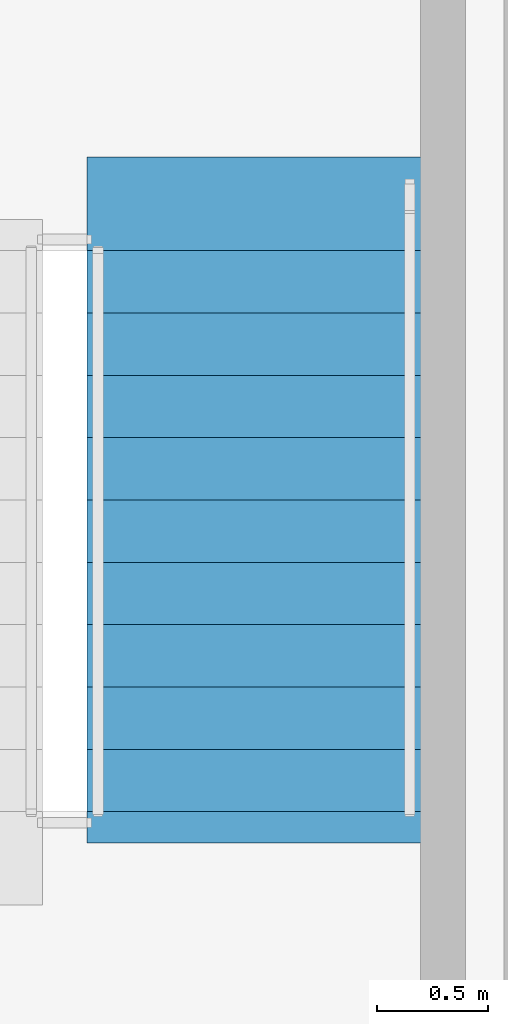
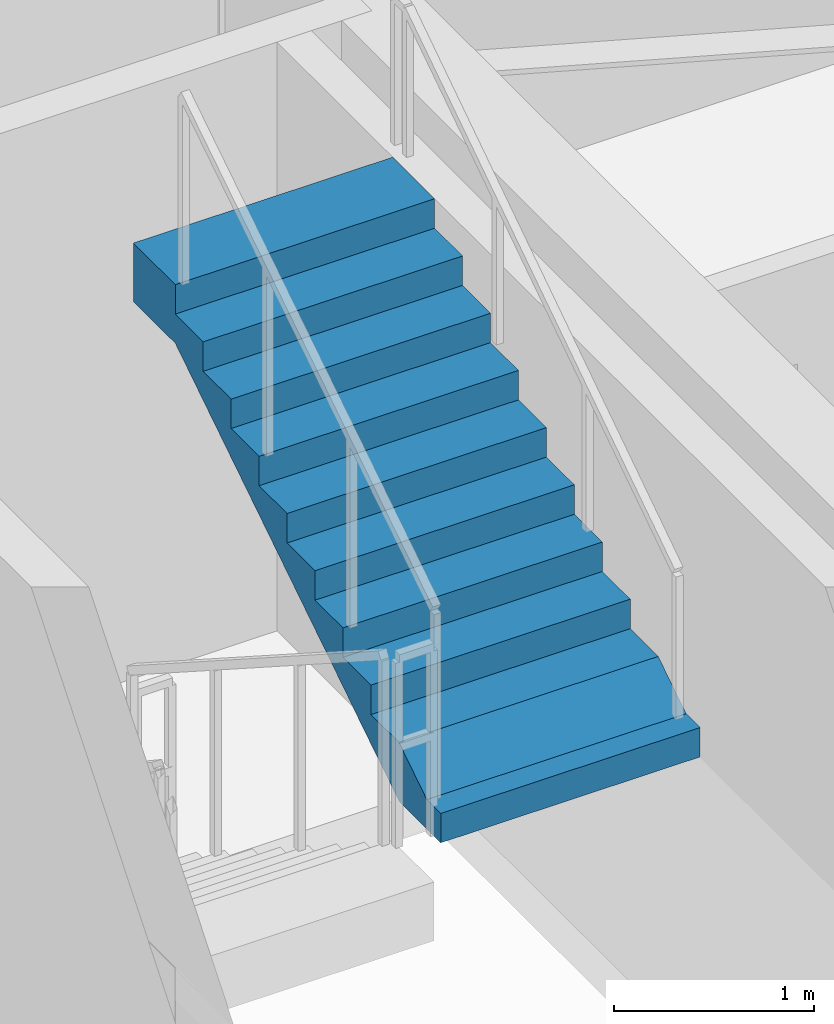
# One storey, part 9 of 11: 1 stair flight, 1 element without a shape of its own.
"""IFC4 building model written with IfcOpenShell, lengths in metres."""

import ifcopenshell
import ifcopenshell.guid

model = None  # the IFC model being written
_history = None  # IfcOwnerHistory: only IFC2X3 demands one
_inside = {}  # id of a spatial element -> (the spatial element, [elements in it])
_under = {}  # id of a project, library or spatial element -> (it, [spatial elements below it])
_declared = {}  # id of a project -> (the project, [libraries it declares])
_typed = {}  # id of a type object -> (the type object, [elements of that type])
_made_of = {}  # id of a material, layer set ... -> (it, [elements and type objects made of it])


def new_model(schema):
    """Start an empty IFC model of exactly this schema.

    Asked for "IFC4X3", IfcOpenShell would pick the latest addendum, in which some entities
    have other attributes; the version numbers below select the first issue.
    IFC2X3 requires an IfcOwnerHistory on every rooted entity: one is made here for all.
    """
    global model, _history
    if schema == "IFC4X3":
        model = ifcopenshell.file(schema_version=(4, 3, 0, 0))
    else:
        model = ifcopenshell.file(schema=schema)
    _inside.clear()
    _under.clear()
    _declared.clear()
    _typed.clear()
    _made_of.clear()
    _history = None
    if model.schema == "IFC2X3":
        org = make("IfcOrganization", Name="unknown")
        user = make(
            "IfcPersonAndOrganization",
            ThePerson=make("IfcPerson", FamilyName="unknown"),
            TheOrganization=org,
        )
        app = make(
            "IfcApplication",
            ApplicationDeveloper=org,
            Version="unknown",
            ApplicationFullName="unknown",
            ApplicationIdentifier="unknown",
        )
        _history = make(
            "IfcOwnerHistory",
            OwningUser=user,
            OwningApplication=app,
            ChangeAction="ADDED",
            CreationDate=0,
        )
    return model


def make(cls, **values):
    """One entity of the class cls with the attributes given. An attribute that is None is left unset."""
    return model.create_entity(
        cls, **{name: value for name, value in values.items() if value is not None}
    )


def rooted(cls, **values):
    """An entity with a GlobalId (a new one), such as an element, a storey or a relation."""
    return make(cls, GlobalId=ifcopenshell.guid.new(), OwnerHistory=_history, **values)


def si_unit(unit_type, name, prefix=None):
    """IfcSIUnit, for example si_unit("LENGTHUNIT", "METRE", prefix="MILLI")."""
    return make("IfcSIUnit", UnitType=unit_type, Prefix=prefix, Name=name)


def assignment(units):
    """IfcUnitAssignment: the units of a project."""
    return None if units is None else make("IfcUnitAssignment", Units=units)


def point(xyz):
    """IfcCartesianPoint."""
    return None if xyz is None else make("IfcCartesianPoint", Coordinates=xyz)


def direction(xyz):
    """IfcDirection."""
    return None if xyz is None else make("IfcDirection", DirectionRatios=xyz)


def frame(location, z_axis=None, x_axis=None):
    """IfcAxis2Placement3D, a coordinate frame: its origin and axes. An axis left out is left unset."""
    return make(
        "IfcAxis2Placement3D",
        Location=point(location),
        Axis=direction(z_axis),
        RefDirection=direction(x_axis),
    )


def origin():
    """The frame at (0, 0, 0) with its axes left unset."""
    return frame((0.0, 0.0, 0.0))


def place(relative_to, where):
    """IfcLocalPlacement: puts the frame where relative to a parent placement (None: the world)."""
    return make(
        "IfcLocalPlacement", PlacementRelTo=relative_to, RelativePlacement=where
    )


def context(
    kind, dimensions, precision=None, world=None, true_north=None, identifier=None
):
    """IfcGeometricRepresentationContext, for example the 3D "Model" context."""
    return make(
        "IfcGeometricRepresentationContext",
        ContextIdentifier=identifier,
        ContextType=kind,
        CoordinateSpaceDimension=dimensions,
        Precision=precision,
        WorldCoordinateSystem=world,
        TrueNorth=true_north,
    )


def subcontext(parent, identifier, kind, view, scale=None):
    """IfcGeometricRepresentationSubContext, for example "Body" below "Model"."""
    return make(
        "IfcGeometricRepresentationSubContext",
        ContextIdentifier=identifier,
        ContextType=kind,
        ParentContext=parent,
        TargetScale=scale,
        TargetView=view,
    )


def project(units=None, contexts=None):
    """IfcProject with its units and contexts."""
    return rooted(
        "IfcProject",
        Name="project",
        RepresentationContexts=contexts,
        UnitsInContext=assignment(units),
    )


def spatial(cls, under=None, at=None, **own):
    """A site, building, storey or space (cls), placed at a placement, below another one or the project."""
    s = rooted(cls, ObjectPlacement=at, **own)
    if under is not None:
        _under.setdefault(under.id(), (under, []))[1].append(s)
    return s


def polyline(points):
    """IfcPolyline through the points."""
    return make("IfcPolyline", Points=[point(p) for p in points])


def outline(outer, holes=None, kind="AREA"):
    """IfcArbitraryClosedProfileDef: a profile drawn as a closed curve; with holes, ...WithVoids."""
    if holes is None:
        return make("IfcArbitraryClosedProfileDef", ProfileType=kind, OuterCurve=outer)
    return make(
        "IfcArbitraryProfileDefWithVoids",
        ProfileType=kind,
        OuterCurve=outer,
        InnerCurves=holes,
    )


def extrude(swept, where, along, depth):
    """IfcExtrudedAreaSolid: the profile swept, set in the frame where, extruded along a direction by depth."""
    return make(
        "IfcExtrudedAreaSolid",
        SweptArea=swept,
        Position=where,
        ExtrudedDirection=direction(along),
        Depth=depth,
    )


def shape(context_of_items, identifier, shape_type, items):
    """IfcShapeRepresentation: the items that make up one representation, for example the "Body"."""
    return make(
        "IfcShapeRepresentation",
        ContextOfItems=context_of_items,
        RepresentationIdentifier=identifier,
        RepresentationType=shape_type,
        Items=items,
    )


def material(Name=None, Category=None):
    """IfcMaterial."""
    return make("IfcMaterial", Name=Name, Category=Category)


def layer(
    of_material, thickness, ventilated=None, Name=None, Category=None, Priority=None
):
    """IfcMaterialLayer: one layer of a wall or slab, of a material (None: an air gap)."""
    return make(
        "IfcMaterialLayer",
        Material=of_material,
        LayerThickness=thickness,
        IsVentilated=ventilated,
        Name=Name,
        Category=Category,
        Priority=Priority,
    )


def layer_set(layers, Name=None):
    """IfcMaterialLayerSet."""
    return make("IfcMaterialLayerSet", MaterialLayers=layers, LayerSetName=Name)


def made_of(thing, what):
    """Note that an element or type object is made of a material, layer set ...; save() writes the relation."""
    if what is not None:
        _made_of.setdefault(what.id(), (what, []))[1].append(thing)
    return thing


def type_object(cls, material=None, **own):
    """A type object (cls), such as IfcWallType, which elements share."""
    return made_of(rooted(cls, **own), material)


def element(
    cls,
    number,
    at=None,
    inside=None,
    cuts=None,
    type_object=None,
    material=None,
    context=None,
    identifier="Body",
    shape_type=None,
    held_by="IfcProductDefinitionShape",
    body=None,
    shapes=None,
    **own,
):
    """One element of the class cls, such as IfcWall. Its Tag is "e" and its number.

    at: its placement. inside: the storey or other place that contains it. cuts: it is an
    opening in that element (IfcRelVoidsElement). A single representation is given by context,
    identifier, shape_type and body (its items); several are given by shapes. held_by: the class
    of the entity that holds the representations. save() writes the other relations.
    """
    e = rooted(cls, Tag="e%d" % number, ObjectPlacement=at, **own)
    if body is not None:
        shapes = [shape(context, identifier, shape_type, body)]
    if shapes is not None:
        e.Representation = make(held_by, Representations=shapes)
    if inside is not None:
        _inside.setdefault(inside.id(), (inside, []))[1].append(e)
    if cuts is not None:
        rooted(
            "IfcRelVoidsElement", RelatingBuildingElement=cuts, RelatedOpeningElement=e
        )
    if type_object is not None:
        _typed.setdefault(type_object.id(), (type_object, []))[1].append(e)
    return made_of(e, material)


def aggregate(whole, parts):
    """IfcRelAggregates: a whole, such as a stair, and the parts it consists of."""
    return rooted("IfcRelAggregates", RelatingObject=whole, RelatedObjects=parts)


def save(model, path):
    """Write the relations noted so far, then the file.

    IfcRelAggregates (storeys below a building ...), IfcRelContainedInSpatialStructure (elements
    in a storey), IfcRelDefinesByType, IfcRelAssociatesMaterial and IfcRelDeclares: one each for
    every whole, place, type object, material and project.
    """
    for whole, parts in _under.values():
        aggregate(whole, parts)
    for where, things in _inside.values():
        rooted(
            "IfcRelContainedInSpatialStructure",
            RelatedElements=things,
            RelatingStructure=where,
        )
    for kind, things in _typed.values():
        rooted("IfcRelDefinesByType", RelatedObjects=things, RelatingType=kind)
    for what, things in _made_of.values():
        rooted("IfcRelAssociatesMaterial", RelatedObjects=things, RelatingMaterial=what)
    for by, libraries in _declared.values():
        rooted("IfcRelDeclares", RelatingContext=by, RelatedDefinitions=libraries)
    model.write(path)


model = new_model("IFC4")

# Units and contexts
model_context = context("Model", 3, precision=1e-05, world=origin(), true_north=direction((0.0, 1.0)))
body_context = subcontext(model_context, "Body", "Model", "MODEL_VIEW")
ifc_project = project(units=[si_unit("LENGTHUNIT", "METRE"), si_unit("AREAUNIT", "SQUARE_METRE"), si_unit("VOLUMEUNIT", "CUBIC_METRE"), si_unit("PLANEANGLEUNIT", "RADIAN"), si_unit("MASSUNIT", "GRAM", prefix="KILO")], contexts=[model_context])

# Site, building, storey
site_placement = place(None, origin())
site = spatial("IfcSite", under=ifc_project, at=site_placement, CompositionType="ELEMENT")
building_placement = place(site_placement, origin())
building = spatial("IfcBuilding", under=site, at=building_placement, Name="Talgorran Terracotta Tower", CompositionType="ELEMENT")
storey_placement = place(building_placement, frame((0.0, 0.0, 68.39990234375)))
storey = spatial("IfcBuildingStorey", under=building, at=storey_placement, Name="L17", CompositionType="ELEMENT", Elevation=68.39990234375)

# Stair, stair flight
ifc_material = material(Name="Concrete C40/50", Category="concrete")
stair_type = type_object("IfcStairType", Name="ST_FIRE_SCISSOR", PredefinedType="HALF_TURN_STAIR", material=ifc_material)
stair_placement = place(storey_placement, origin())
stair = element("IfcStair", 1, at=stair_placement, inside=storey, type_object=stair_type, Name="L17 East Protected Fire Stair ST-02", PredefinedType="HALF_TURN_STAIR")
ifc_layer = layer(ifc_material, 0.179931640625, Name="STF_RC_1500")
ifc_layer_set = layer_set([ifc_layer], Name="Concrete C40/50")
stair_flight_type = type_object("IfcStairFlightType", Name="STF_RC_1500", PredefinedType="STRAIGHT", material=ifc_layer_set)
stair_flight_placement = place(storey_placement, frame((11.050048828125, -9.719970703125, 1.800048828125), z_axis=(0.0, 0.0, 1.0), x_axis=(0.0, 1.0, 0.0)))
stair_flight = element("IfcStairFlight", 2, at=stair_flight_placement, type_object=stair_flight_type, Name="ST-02 flight 2", NumberOfRisers=10, NumberOfTreads=9, PredefinedType="STRAIGHT", RiserHeight=0.18, TreadLength=0.28, context=body_context, shape_type="SweptSolid", body=[
    extrude(outline(polyline([(-0.139892578125, 0.0), (-0.139892578125, 0.179931640625), (0.0, 0.179931640625), (0.280029296875, 0.360107421875), (0.56005859375, 0.360107421875), (0.56005859375, 0.5400390625), (0.840087890625, 0.5400390625), (0.840087890625, 0.719970703125), (1.1201171875, 0.719970703125), (1.1201171875, 0.89990234375), (1.39990234375, 0.89990234375), (1.39990234375, 1.080078125), (1.679931640625, 1.080078125), (1.679931640625, 1.260009765625), (1.9599609375, 1.260009765625), (1.9599609375, 1.43994140625), (2.239990234375, 1.43994140625), (2.239990234375, 1.6201171875), (2.52001953125, 1.6201171875), (2.52001953125, 1.800048828125), (2.93994140625, 1.800048828125), (2.93994140625, 1.44189453125), (2.52001953125, 1.44189453125), (0.277099609375, 0.0), (-0.139892578125, 0.0)])), frame((0.0, 0.75, 0.0), z_axis=(0.0, -1.0, 0.0), x_axis=(1.0, 0.0, 0.0)), (0.0, 0.0, 1.0), 1.5),
])
aggregate(stair, [stair_flight])

save(model, "model.ifc")
